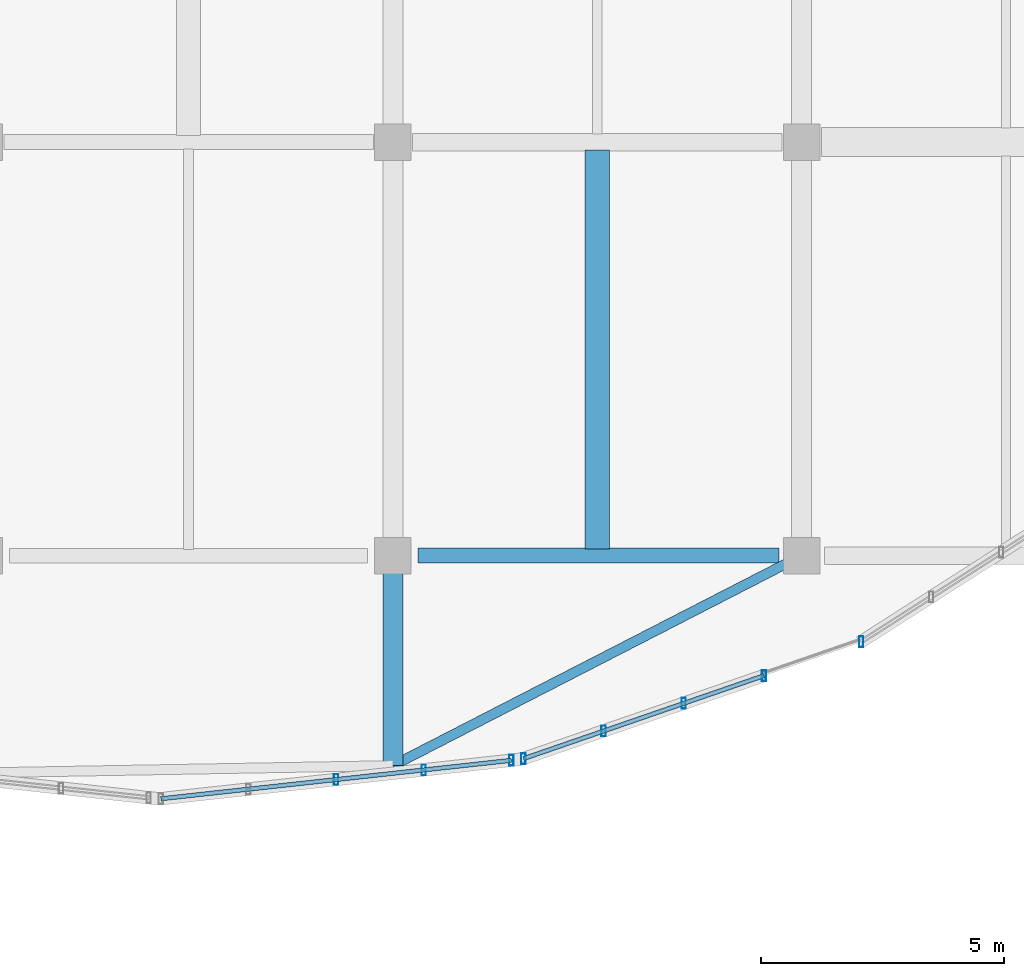
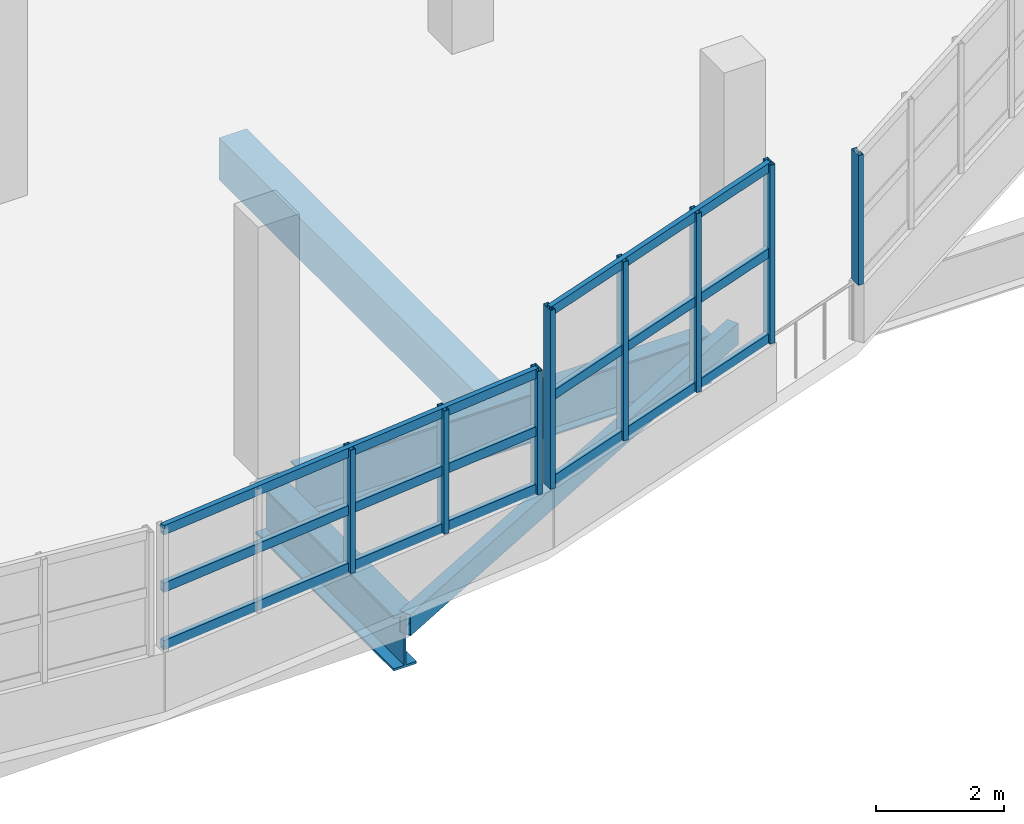
# One storey, part 21 of 117: 14 members, 4 beams, 3 elements without a shape of their own.
"""IFC4 building model written with IfcOpenShell, lengths in metres."""

from ifc_helpers import new_model, si_unit, direction, frame, origin, origin_2d, place, context, subcontext, project, spatial, rectangle, hollow_rectangle, i_section, extrude, material, material_profile, profile_set, type_object, element, aggregate, save


model = new_model("IFC4")

# Units and contexts
model_context = context("Model", 3, precision=1e-05, world=origin(), true_north=direction((0.0, 1.0)))
body_context = subcontext(model_context, "Body", "Model", "MODEL_VIEW")
ifc_project = project(units=[si_unit("LENGTHUNIT", "METRE"), si_unit("AREAUNIT", "SQUARE_METRE"), si_unit("VOLUMEUNIT", "CUBIC_METRE"), si_unit("PLANEANGLEUNIT", "RADIAN"), si_unit("MASSUNIT", "GRAM", prefix="KILO")], contexts=[model_context])

# Site, building, storey
site_placement = place(None, origin())
site = spatial("IfcSite", under=ifc_project, at=site_placement, CompositionType="ELEMENT")
building_placement = place(site_placement, origin())
building = spatial("IfcBuilding", under=site, at=building_placement, Name="Solvento Point Concert Hall", CompositionType="ELEMENT")
storey_placement = place(building_placement, frame((0.0, 0.0, 5.39990234375)))
storey = spatial("IfcBuildingStorey", under=building, at=storey_placement, Name="L01", CompositionType="ELEMENT", Elevation=5.39990234375)

# Beams
ifc_material_1 = material(Name="Concrete C35/45", Category="concrete")
ifc_material_profile_1 = material_profile(ifc_material_1, rectangle(XDim=0.5, YDim=0.800048828125, at=origin_2d()), Name="RC-BM-500X800")
ifc_profile_set_1 = profile_set([ifc_material_profile_1], Name="Concrete C35/45")
beam_type_1 = type_object("IfcBeamType", Name="Beam_RC_500x800", PredefinedType="BEAM", material=ifc_profile_set_1)
beam_1_placement = place(storey_placement, frame((70.199951171875, 17.138671875, -0.683837890625), z_axis=(0.0, 1.0, 0.0), x_axis=(-1.0, 0.0, 0.0)))
element("IfcBeam", 1, at=beam_1_placement, inside=storey, type_object=beam_type_1, Name="Secondary floor joist B-63 L01", PredefinedType="BEAM", context=body_context, shape_type="SweptSolid", body=[
    extrude(rectangle(XDim=0.5, YDim=0.800048828125, at=origin_2d()), origin(), (0.0, 0.0, 1.0), 8.19580078125),
])
ifc_material_2 = material(Name="Structural Steel ASTM A992 Grade 50", Category="steel")
ifc_material_profile_2 = material_profile(ifc_material_2, i_section(OverallWidth=0.408935546875, OverallDepth=1.041015625, WebThickness=0.031005859375, FlangeThickness=0.04443359375, at=origin_2d()), Name="W40X397")
ifc_profile_set_2 = profile_set([ifc_material_profile_2], Name="Structural Steel ASTM A992 Grade 50")
beam_type_2 = type_object("IfcBeamType", Name="CantileverGirder_W40X397", PredefinedType="USERDEFINED", material=ifc_profile_set_2)
beam_2_placement = place(storey_placement, frame((66.0, 17.0, -0.805419921875), z_axis=(0.0, -1.0, 0.0), x_axis=(1.0, 0.0, 0.0)))
element("IfcBeam", 2, at=beam_2_placement, inside=storey, type_object=beam_type_2, Name="Radial cantilever girder CG-01 L01", ObjectType="GIRDER", PredefinedType="USERDEFINED", context=body_context, shape_type="SweptSolid", body=[
    extrude(i_section(OverallWidth=0.408935546875, OverallDepth=1.041015625, WebThickness=0.031005859375, FlangeThickness=0.04443359375, at=origin_2d()), origin(), (0.0, 0.0, 1.0), 4.314208984375),
])
ifc_material_3 = material(Name="Structural Steel ASTM A992 Grade 50", Category="steel")
ifc_material_profile_3 = material_profile(ifc_material_3, i_section(OverallWidth=0.3076171875, OverallDepth=0.927001953125, WebThickness=0.019287109375, FlangeThickness=0.031982421875, at=origin_2d()), Name="W36X194")
ifc_profile_set_3 = profile_set([ifc_material_profile_3], Name="Structural Steel ASTM A992 Grade 50")
beam_type_3 = type_object("IfcBeamType", Name="Girder_W36X194", PredefinedType="USERDEFINED", material=ifc_profile_set_3)
beam_3_placement = place(storey_placement, frame((66.51904296875, 17.0, -0.747314453125), z_axis=(1.0, 0.0, 0.0), x_axis=(0.0, 1.0, 0.0)))
element("IfcBeam", 3, at=beam_3_placement, inside=storey, type_object=beam_type_3, Name="Primary girder B-61 L01", ObjectType="GIRDER", PredefinedType="USERDEFINED", context=body_context, shape_type="SweptSolid", body=[
    extrude(i_section(OverallWidth=0.3076171875, OverallDepth=0.927001953125, WebThickness=0.019287109375, FlangeThickness=0.031982421875, at=origin_2d()), origin(), (0.0, 0.0, 1.0), 7.411865234375),
])

# Curtain wall, member
ifc_material_4 = material(Name="Anodized Bronze Aluminium", Category="aluminium")
curtain_wall_type = type_object("IfcCurtainWallType", Name="CurtainWall_RingRibbon_L01_02", PredefinedType="USERDEFINED", material=ifc_material_4)
curtain_wall_1_placement = place(storey_placement, origin())
curtain_wall_1 = element("IfcCurtainWall", 4, at=curtain_wall_1_placement, inside=storey, type_object=curtain_wall_type, Name="Unitised curtain wall CW-59 UCW-L01-110", ObjectType="UNITISED CURTAIN WALL", PredefinedType="USERDEFINED")
ifc_material_5 = material(Name="Anodized Bronze Aluminium", Category="aluminium")
ifc_material_profile_4 = material_profile(ifc_material_5, hollow_rectangle(XDim=0.090087890625, YDim=0.219970703125, WallThickness=0.00439453125, at=origin_2d()), Name="CW-MUL-90X220")
ifc_profile_set_4 = profile_set([ifc_material_profile_4], Name="Anodized Bronze Aluminium")
member_type_1 = type_object("IfcMemberType", Name="Mullion_90x220", PredefinedType="MULLION", material=ifc_profile_set_4)
member_1_placement = place(storey_placement, frame((75.625244140625, 15.231689453125, 1.1201171875), z_axis=(0.0, 0.0, 1.0), x_axis=(1.0, 0.0, 0.0)))
member_1 = element("IfcMember", 5, at=member_1_placement, type_object=member_type_1, Name="Curtain wall mullion ML-02", PredefinedType="MULLION", context=body_context, shape_type="SweptSolid", body=[
    extrude(hollow_rectangle(XDim=0.090087890625, YDim=0.219970703125, WallThickness=0.00439453125, at=origin_2d()), origin(), (0.0, 0.0, 1.0), 2.473876953125),
])
aggregate(curtain_wall_1, [member_1])

# Curtain wall, members
curtain_wall_2_placement = place(storey_placement, origin())
curtain_wall_2 = element("IfcCurtainWall", 6, at=curtain_wall_2_placement, inside=storey, type_object=curtain_wall_type, Name="Unitised curtain wall CW-59 UCW-L01-111", ObjectType="UNITISED CURTAIN WALL", PredefinedType="USERDEFINED")
member_2_placement = place(storey_placement, frame((73.626708984375, 14.5341796875, 1.1201171875), z_axis=(0.0, 0.0, 1.0), x_axis=(1.0, 0.0, 0.0)))
member_2 = element("IfcMember", 7, at=member_2_placement, type_object=member_type_1, Name="Curtain wall mullion ML-02", PredefinedType="MULLION", context=body_context, shape_type="SweptSolid", body=[
    extrude(hollow_rectangle(XDim=0.090087890625, YDim=0.219970703125, WallThickness=0.00439453125, at=origin_2d()), origin(), (0.0, 0.0, 1.0), 3.409912109375),
])
member_3_placement = place(storey_placement, frame((71.978515625, 13.96533203125, 1.1201171875), z_axis=(0.0, 0.0, 1.0), x_axis=(1.0, 0.0, 0.0)))
member_3 = element("IfcMember", 8, at=member_3_placement, type_object=member_type_1, Name="Curtain wall mullion ML-02", PredefinedType="MULLION", context=body_context, shape_type="SweptSolid", body=[
    extrude(hollow_rectangle(XDim=0.090087890625, YDim=0.219970703125, WallThickness=0.00439453125, at=origin_2d()), origin(), (0.0, 0.0, 1.0), 3.409912109375),
])
member_4_placement = place(storey_placement, frame((70.33056640625, 13.396484375, 1.1201171875), z_axis=(0.0, 0.0, 1.0), x_axis=(1.0, 0.0, 0.0)))
member_4 = element("IfcMember", 9, at=member_4_placement, type_object=member_type_1, Name="Curtain wall mullion ML-02", PredefinedType="MULLION", context=body_context, shape_type="SweptSolid", body=[
    extrude(hollow_rectangle(XDim=0.090087890625, YDim=0.219970703125, WallThickness=0.00439453125, at=origin_2d()), origin(), (0.0, 0.0, 1.0), 3.409912109375),
])
member_5_placement = place(storey_placement, frame((68.682373046875, 12.82763671875, 1.1201171875), z_axis=(0.0, 0.0, 1.0), x_axis=(1.0, 0.0, 0.0)))
member_5 = element("IfcMember", 10, at=member_5_placement, type_object=member_type_1, Name="Curtain wall mullion ML-02", PredefinedType="MULLION", context=body_context, shape_type="SweptSolid", body=[
    extrude(hollow_rectangle(XDim=0.090087890625, YDim=0.219970703125, WallThickness=0.00439453125, at=origin_2d()), origin(), (0.0, 0.0, 1.0), 3.409912109375),
])

curtain_wall_3_placement = place(storey_placement, origin())
curtain_wall_3 = element("IfcCurtainWall", 11, at=curtain_wall_3_placement, inside=storey, type_object=curtain_wall_type, Name="Unitised curtain wall CW-59 UCW-L01-112", ObjectType="UNITISED CURTAIN WALL", PredefinedType="USERDEFINED")
member_6_placement = place(storey_placement, frame((68.435302734375, 12.793701171875, 1.1201171875), z_axis=(0.0, 0.0, 1.0), x_axis=(1.0, 0.0, 0.0)))
member_6 = element("IfcMember", 12, at=member_6_placement, type_object=member_type_1, Name="Curtain wall mullion ML-02", PredefinedType="MULLION", context=body_context, shape_type="SweptSolid", body=[
    extrude(hollow_rectangle(XDim=0.090087890625, YDim=0.219970703125, WallThickness=0.00439453125, at=origin_2d()), origin(), (0.0, 0.0, 1.0), 2.35205078125),
])
member_7_placement = place(storey_placement, frame((66.6337890625, 12.59619140625, 1.1201171875), z_axis=(0.0, 0.0, 1.0), x_axis=(1.0, 0.0, 0.0)))
member_7 = element("IfcMember", 13, at=member_7_placement, type_object=member_type_1, Name="Curtain wall mullion ML-02", PredefinedType="MULLION", context=body_context, shape_type="SweptSolid", body=[
    extrude(hollow_rectangle(XDim=0.090087890625, YDim=0.219970703125, WallThickness=0.00439453125, at=origin_2d()), origin(), (0.0, 0.0, 1.0), 2.35205078125),
])
member_8_placement = place(storey_placement, frame((64.83251953125, 12.3984375, 1.1201171875), z_axis=(0.0, 0.0, 1.0), x_axis=(1.0, 0.0, 0.0)))
member_8 = element("IfcMember", 14, at=member_8_placement, type_object=member_type_1, Name="Curtain wall mullion ML-02", PredefinedType="MULLION", context=body_context, shape_type="SweptSolid", body=[
    extrude(hollow_rectangle(XDim=0.090087890625, YDim=0.219970703125, WallThickness=0.00439453125, at=origin_2d()), origin(), (0.0, 0.0, 1.0), 2.35205078125),
])

# Beam
ifc_material_6 = material(Name="Structural Steel ASTM A500 Grade C", Category="steel")
ifc_material_profile_5 = material_profile(ifc_material_6, hollow_rectangle(XDim=0.203125, YDim=0.406494140625, WallThickness=0.01171875, at=origin_2d()), Name="HSS16X8X1/2")
ifc_profile_set_5 = profile_set([ifc_material_profile_5], Name="Structural Steel ASTM A500 Grade C")
beam_type_4 = type_object("IfcBeamType", Name="RingBeam_HSS16X8", PredefinedType="SPANDREL", material=ifc_profile_set_5)
beam_4_placement = place(storey_placement, frame((66.0, 12.685791015625, -0.487060546875), z_axis=(0.889534930009, 0.456867167011, 0.0), x_axis=(-0.456867167011, 0.889534930009, 0.0)))
element("IfcBeam", 15, at=beam_4_placement, inside=storey, type_object=beam_type_4, Name="Elliptical perimeter ring beam RB-01 L01", PredefinedType="SPANDREL", context=body_context, shape_type="SweptSolid", body=[
    extrude(hollow_rectangle(XDim=0.203125, YDim=0.406494140625, WallThickness=0.01171875, at=origin_2d()), origin(), (0.0, 0.0, 1.0), 9.443115234375),
])

# Member
ifc_material_7 = material(Name="Anodized Bronze Aluminium", Category="aluminium")
ifc_material_profile_6 = material_profile(ifc_material_7, hollow_rectangle(XDim=0.090087890625, YDim=0.179931640625, WallThickness=0.00439453125, at=origin_2d()), Name="CW-TRN-90X180")
ifc_profile_set_6 = profile_set([ifc_material_profile_6], Name="Anodized Bronze Aluminium")
member_type_2 = type_object("IfcMemberType", Name="Transom_90x180", PredefinedType="USERDEFINED", material=ifc_profile_set_6)
member_9_placement = place(storey_placement, frame((73.626708984375, 14.5341796875, 1.2001953125), z_axis=(-0.945278697638, -0.326263978693, 0.0), x_axis=(0.326263978693, -0.945278697638, 0.0)))
member_9 = element("IfcMember", 16, at=member_9_placement, type_object=member_type_2, Name="Curtain wall transom TR-02", ObjectType="TRANSOM", PredefinedType="USERDEFINED", context=body_context, shape_type="SweptSolid", body=[
    extrude(hollow_rectangle(XDim=0.090087890625, YDim=0.179931640625, WallThickness=0.00439453125, at=origin_2d()), origin(), (0.0, 0.0, 1.0), 5.23046875),
])

member_10_placement = place(storey_placement, frame((73.626708984375, 14.5341796875, 2.8251953125), z_axis=(-0.945278697638, -0.326263978693, 0.0), x_axis=(0.326263978693, -0.945278697638, 0.0)))
member_10 = element("IfcMember", 17, at=member_10_placement, type_object=member_type_2, Name="Curtain wall transom TR-02", ObjectType="TRANSOM", PredefinedType="USERDEFINED", context=body_context, shape_type="SweptSolid", body=[
    extrude(hollow_rectangle(XDim=0.090087890625, YDim=0.179931640625, WallThickness=0.00439453125, at=origin_2d()), origin(), (0.0, 0.0, 1.0), 5.23046875),
])

member_11_placement = place(storey_placement, frame((73.626708984375, 14.5341796875, 4.4501953125), z_axis=(-0.945278697638, -0.326263978693, 0.0), x_axis=(0.326263978693, -0.945278697638, 0.0)))
member_11 = element("IfcMember", 18, at=member_11_placement, type_object=member_type_2, Name="Curtain wall transom TR-02", ObjectType="TRANSOM", PredefinedType="USERDEFINED", context=body_context, shape_type="SweptSolid", body=[
    extrude(hollow_rectangle(XDim=0.090087890625, YDim=0.179931640625, WallThickness=0.00439453125, at=origin_2d()), origin(), (0.0, 0.0, 1.0), 5.23046875),
])

aggregate(curtain_wall_2, [member_2, member_3, member_4, member_5, member_9, member_10, member_11])

member_12_placement = place(storey_placement, frame((68.435302734375, 12.793701171875, 1.2001953125), z_axis=(-0.994039226754, -0.109023005252, 0.0), x_axis=(0.109023005252, -0.994039226754, 0.0)))
member_12 = element("IfcMember", 19, at=member_12_placement, type_object=member_type_2, Name="Curtain wall transom TR-02", ObjectType="TRANSOM", PredefinedType="USERDEFINED", context=body_context, shape_type="SweptSolid", body=[
    extrude(hollow_rectangle(XDim=0.090087890625, YDim=0.179931640625, WallThickness=0.00439453125, at=origin_2d()), origin(), (0.0, 0.0, 1.0), 7.248779296875),
])

member_13_placement = place(storey_placement, frame((68.435302734375, 12.793701171875, 2.296142578125), z_axis=(-0.994039226754, -0.109023005252, 0.0), x_axis=(0.109023005252, -0.994039226754, 0.0)))
member_13 = element("IfcMember", 20, at=member_13_placement, type_object=member_type_2, Name="Curtain wall transom TR-02", ObjectType="TRANSOM", PredefinedType="USERDEFINED", context=body_context, shape_type="SweptSolid", body=[
    extrude(hollow_rectangle(XDim=0.090087890625, YDim=0.179931640625, WallThickness=0.00439453125, at=origin_2d()), origin(), (0.0, 0.0, 1.0), 7.248779296875),
])

member_14_placement = place(storey_placement, frame((68.435302734375, 12.793701171875, 3.39208984375), z_axis=(-0.994039226754, -0.109023005252, 0.0), x_axis=(0.109023005252, -0.994039226754, 0.0)))
member_14 = element("IfcMember", 21, at=member_14_placement, type_object=member_type_2, Name="Curtain wall transom TR-02", ObjectType="TRANSOM", PredefinedType="USERDEFINED", context=body_context, shape_type="SweptSolid", body=[
    extrude(hollow_rectangle(XDim=0.090087890625, YDim=0.179931640625, WallThickness=0.00439453125, at=origin_2d()), origin(), (0.0, 0.0, 1.0), 7.248779296875),
])

aggregate(curtain_wall_3, [member_6, member_7, member_8, member_12, member_13, member_14])

save(model, "model.ifc")
